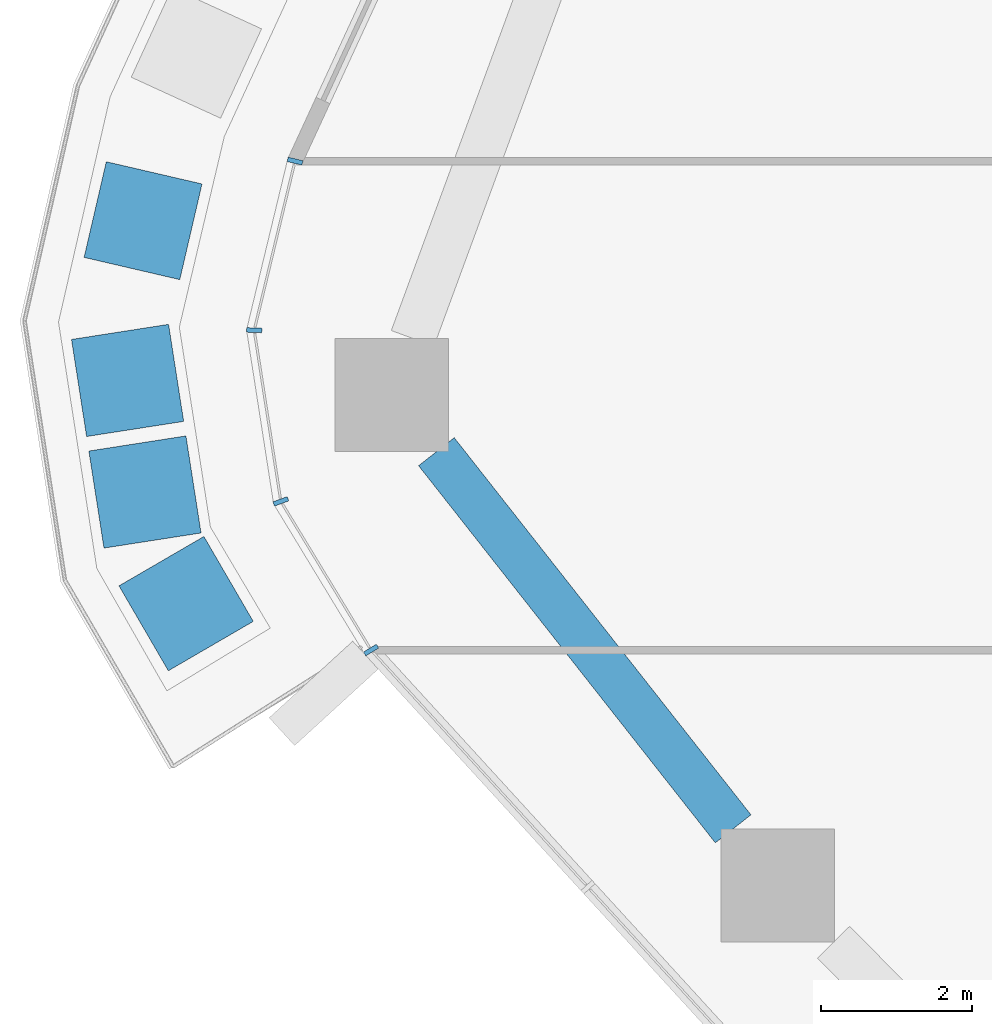
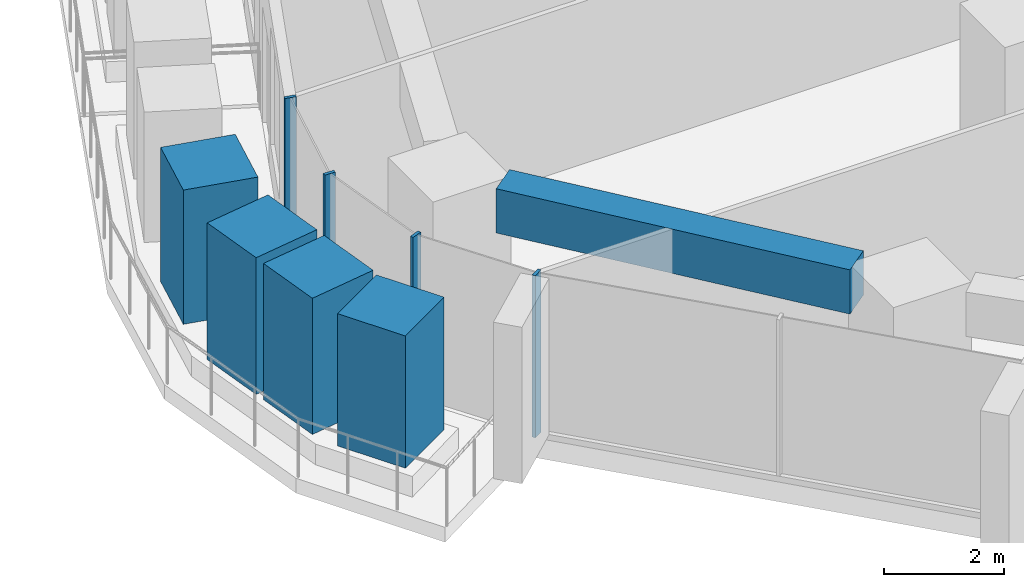
# One storey, part 4 of 27: 8 members, 1 beam, 1 element without a shape of its own.
"""IFC4 building model written with IfcOpenShell, lengths in metres."""

from ifc_helpers import new_model, si_unit, direction, frame, origin, origin_2d, place, context, subcontext, project, spatial, rectangle, extrude, material, layer, layer_set, material_profile, profile_set, type_object, element, aggregate, save


model = new_model("IFC4")

# Units and contexts
model_context = context("Model", 3, precision=1e-05, world=origin(), true_north=direction((0.0, 1.0)))
body_context = subcontext(model_context, "Body", "Model", "MODEL_VIEW")
ifc_project = project(units=[si_unit("LENGTHUNIT", "METRE"), si_unit("AREAUNIT", "SQUARE_METRE"), si_unit("VOLUMEUNIT", "CUBIC_METRE"), si_unit("PLANEANGLEUNIT", "RADIAN"), si_unit("MASSUNIT", "GRAM", prefix="KILO")], contexts=[model_context])

# Site, building, storey
site_placement = place(None, origin())
site = spatial("IfcSite", under=ifc_project, at=site_placement, CompositionType="ELEMENT")
building_placement = place(site_placement, origin())
building = spatial("IfcBuilding", under=site, at=building_placement, Name="Dongbaek Canopy Tower", CompositionType="ELEMENT")
storey_placement = place(building_placement, frame((0.0, 0.0, 58.800048828125)))
storey = spatial("IfcBuildingStorey", under=building, at=storey_placement, Name="L10", CompositionType="ELEMENT", Elevation=58.800048828125)

# Curtain wall, members
ifc_material_1 = material(Name="Aluminium 6063-T6 pale anodised", Category="aluminium")
ifc_layer = layer(ifc_material_1, 0.199951171875)
ifc_layer_set = layer_set([ifc_layer], Name="CW-1 unitised tower curtain wall")
curtain_wall_type = type_object("IfcCurtainWallType", Name="CW-1 unitised tower curtain wall", PredefinedType="NOTDEFINED", material=ifc_layer_set)
curtain_wall_placement = place(storey_placement, origin())
curtain_wall = element("IfcCurtainWall", 1, at=curtain_wall_placement, inside=storey, type_object=curtain_wall_type, Name="CW-1 curtain wall K3.1", PredefinedType="NOTDEFINED")
ifc_material_2 = material(Name="Aluminium 6063-T6 pale anodised", Category="aluminium")
ifc_material_profile_1 = material_profile(ifc_material_2, rectangle(XDim=0.199951171875, YDim=0.06005859375, at=origin_2d()), Name="CW-1 mullion 60 x 200")
ifc_profile_set_1 = profile_set([ifc_material_profile_1], Name="Aluminium 6063-T6 pale anodised")
member_type_1 = type_object("IfcMemberType", Name="CW-1 mullion 60 x 200", PredefinedType="MULLION", material=ifc_profile_set_1)
member_1_placement = place(storey_placement, frame((-38.76953125, -5.028076171875, 0.0), z_axis=(0.0, 0.0, 1.0), x_axis=(-0.972133929843, 0.234426155639, 0.0)))
member_1 = element("IfcMember", 2, at=member_1_placement, type_object=member_type_1, Name="CW-1 mullion K3.1.1", PredefinedType="MULLION", context=body_context, shape_type="SweptSolid", body=[
    extrude(rectangle(XDim=0.199951171875, YDim=0.06005859375, at=origin_2d()), origin(), (0.0, 0.0, 1.0), 3.300048828125),
])
member_2_placement = place(storey_placement, frame((-39.30908203125, -7.265625, 0.0), z_axis=(0.0, 0.0, 1.0), x_axis=(-0.99915466542, 0.041109057021, 0.0)))
member_2 = element("IfcMember", 3, at=member_2_placement, type_object=member_type_1, Name="CW-1 mullion K3.1.2", PredefinedType="MULLION", context=body_context, shape_type="SweptSolid", body=[
    extrude(rectangle(XDim=0.199951171875, YDim=0.06005859375, at=origin_2d()), origin(), (0.0, 0.0, 1.0), 3.300048828125),
])
member_3_placement = place(storey_placement, frame((-38.956787109375, -9.530029296875, 0.0), z_axis=(0.0, 0.0, 1.0), x_axis=(-0.93940887261, -0.342798731126, 0.0)))
member_3 = element("IfcMember", 4, at=member_3_placement, type_object=member_type_1, Name="CW-1 mullion K3.1.3", PredefinedType="MULLION", context=body_context, shape_type="SweptSolid", body=[
    extrude(rectangle(XDim=0.199951171875, YDim=0.06005859375, at=origin_2d()), origin(), (0.0, 0.0, 1.0), 3.300048828125),
])
member_4_placement = place(storey_placement, frame((-37.762939453125, -11.49755859375, 0.0), z_axis=(0.0, 0.0, 1.0), x_axis=(-0.854918755769, -0.518761911703, 0.0)))
member_4 = element("IfcMember", 5, at=member_4_placement, type_object=member_type_1, Name="CW-1 mullion K3.1.4", PredefinedType="MULLION", context=body_context, shape_type="SweptSolid", body=[
    extrude(rectangle(XDim=0.199951171875, YDim=0.06005859375, at=origin_2d()), origin(), (0.0, 0.0, 1.0), 3.300048828125),
])
aggregate(curtain_wall, [member_1, member_2, member_3, member_4])

# Beam
ifc_material_3 = material(Name="Concrete C80", Category="concrete")
ifc_material_profile_2 = material_profile(ifc_material_3, rectangle(XDim=0.60009765625, YDim=0.89990234375, at=origin_2d()), Name="RC EDGE BEAM 600x900 C80")
ifc_profile_set_2 = profile_set([ifc_material_profile_2], Name="Concrete C80")
beam_type = type_object("IfcBeamType", Name="RC EDGE BEAM 600x900 C80", PredefinedType="BEAM", material=ifc_profile_set_2)
beam_placement = place(storey_placement, frame((-32.97216796875, -13.863037109375, 2.849853515625), z_axis=(-0.618386857787, 0.785873841094, 0.0), x_axis=(-0.785873841094, -0.618386857787, 0.0)))
element("IfcBeam", 6, at=beam_placement, inside=storey, type_object=beam_type, Name="EDGEBEAM:L10:07", PredefinedType="BEAM", context=body_context, shape_type="SweptSolid", body=[
    extrude(rectangle(XDim=0.60009765625, YDim=0.89990234375, at=origin_2d()), origin(), (0.0, 0.0, 1.0), 6.349609375),
])

# Members
ifc_material_4 = material(Name="Concrete C40/50 planter mass with planting", Category="concrete")
ifc_material_profile_3 = material_profile(ifc_material_4, rectangle(XDim=1.300048828125, YDim=1.300048828125, at=origin_2d()), Name="Terrace PLANTER shrub mass 1300 x 1300")
ifc_profile_set_3 = profile_set([ifc_material_profile_3], Name="Concrete C40/50 planter mass with planting")
member_type_2 = type_object("IfcMemberType", Name="Terrace PLANTER shrub mass 1300 x 1300", PredefinedType="USERDEFINED", material=ifc_profile_set_3)
member_5_placement = place(storey_placement, frame((-40.7802734375, -5.816162109375, 0.419921875), z_axis=(0.0, 0.0, 1.0), x_axis=(-0.974100975447, 0.226113444169, 0.0)))
element("IfcMember", 7, at=member_5_placement, inside=storey, type_object=member_type_2, Name="Planter shrubs L10 7.3", ObjectType="PLANTER", PredefinedType="USERDEFINED", context=body_context, shape_type="SweptSolid", body=[
    extrude(rectangle(XDim=1.300048828125, YDim=1.300048828125, at=origin_2d()), origin(), (0.0, 0.0, 1.0), 2.72998046875),
])
member_6_placement = place(storey_placement, frame((-40.98486328125, -7.929931640625, 0.419921875), z_axis=(0.0, 0.0, 1.0), x_axis=(-0.988105988848, -0.153774363281, 0.0)))
element("IfcMember", 8, at=member_6_placement, inside=storey, type_object=member_type_2, Name="Planter shrubs L10 7.4", ObjectType="PLANTER", PredefinedType="USERDEFINED", context=body_context, shape_type="SweptSolid", body=[
    extrude(rectangle(XDim=1.300048828125, YDim=1.300048828125, at=origin_2d()), origin(), (0.0, 0.0, 1.0), 2.780029296875),
])
member_7_placement = place(storey_placement, frame((-40.755126953125, -9.40625, 0.419921875), z_axis=(0.0, 0.0, 1.0), x_axis=(-0.988105988848, -0.153774363281, 0.0)))
element("IfcMember", 9, at=member_7_placement, inside=storey, type_object=member_type_2, Name="Planter shrubs L10 7.5", ObjectType="PLANTER", PredefinedType="USERDEFINED", context=body_context, shape_type="SweptSolid", body=[
    extrude(rectangle(XDim=1.300048828125, YDim=1.300048828125, at=origin_2d()), origin(), (0.0, 0.0, 1.0), 2.77001953125),
])
member_8_placement = place(storey_placement, frame((-40.21044921875, -10.88330078125, 0.419921875), z_axis=(0.0, 0.0, 1.0), x_axis=(-0.864535653323, -0.502571491565, 0.0)))
element("IfcMember", 10, at=member_8_placement, inside=storey, type_object=member_type_2, Name="Planter shrubs L10 7.6", ObjectType="PLANTER", PredefinedType="USERDEFINED", context=body_context, shape_type="SweptSolid", body=[
    extrude(rectangle(XDim=1.300048828125, YDim=1.300048828125, at=origin_2d()), origin(), (0.0, 0.0, 1.0), 2.68994140625),
])

save(model, "model.ifc")
